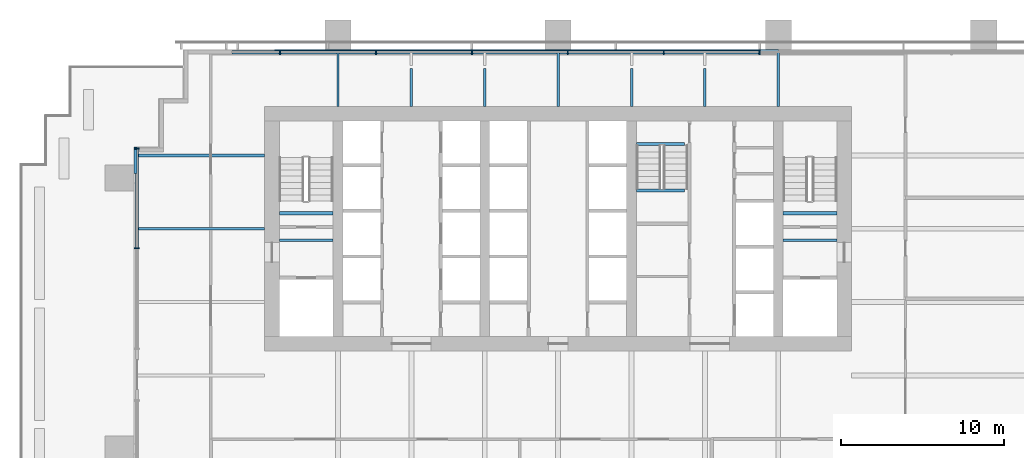
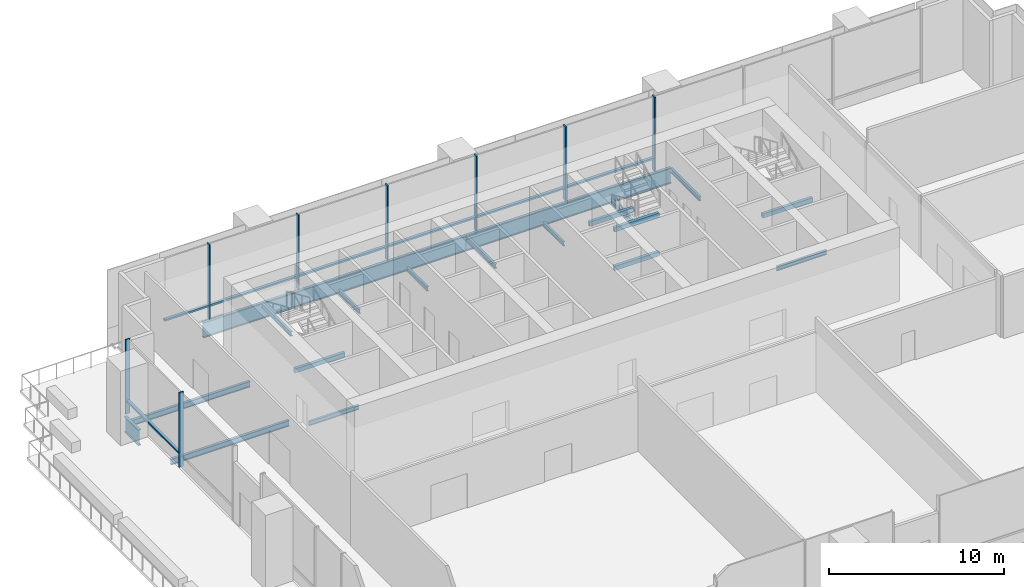
# One storey, part 4 of 15: 19 beams, 15 members, 2 elements without a shape of their own.
"""IFC4 building model written with IfcOpenShell, lengths in metres."""

from ifc_helpers import new_model, si_unit, direction, frame, origin, origin_2d, place, context, subcontext, project, spatial, rectangle, i_section, extrude, material, layer, layer_set, material_profile, profile_set, type_object, element, aggregate, save


model = new_model("IFC4")

# Units and contexts
model_context = context("Model", 3, precision=1e-05, world=origin(), true_north=direction((0.0, 1.0)))
body_context = subcontext(model_context, "Body", "Model", "MODEL_VIEW")
ifc_project = project(units=[si_unit("LENGTHUNIT", "METRE"), si_unit("AREAUNIT", "SQUARE_METRE"), si_unit("VOLUMEUNIT", "CUBIC_METRE"), si_unit("PLANEANGLEUNIT", "RADIAN"), si_unit("MASSUNIT", "GRAM", prefix="KILO")], contexts=[model_context])

# Site, building, storey
site_placement = place(None, origin())
site = spatial("IfcSite", under=ifc_project, at=site_placement, CompositionType="ELEMENT")
building_placement = place(site_placement, origin())
building = spatial("IfcBuilding", under=site, at=building_placement, Name="Rattan Terrace Tower", CompositionType="ELEMENT")
storey_placement = place(building_placement, frame((0.0, 0.0, 74.300048828125)))
storey = spatial("IfcBuildingStorey", under=building, at=storey_placement, Name="L16", CompositionType="ELEMENT", Elevation=74.300048828125)

# Beams
ifc_material_1 = material(Name="Concrete C40/50", Category="concrete")
ifc_material_profile_1 = material_profile(ifc_material_1, rectangle(XDim=0.199951171875, YDim=0.300048828125, at=origin_2d()), Name="RC 200x300")
ifc_profile_set_1 = profile_set([ifc_material_profile_1], Name="Concrete C40/50")
beam_type_1 = type_object("IfcBeamType", Name="Core landing beam RC 200x300", PredefinedType="BEAM", material=ifc_profile_set_1)
for number, where, z_axis, x_axis, name in (
    (1, (-17.10009765625, 0.949951171875, 2.349853515625), (1.0, 0.0, 0.0), (0.0, 1.0, 0.0), "st-S1-L16 landing 2 edge beam"),
    (2, (13.800048828125, 0.949951171875, 2.349853515625), (1.0, 0.0, 0.0), (0.0, 1.0, 0.0), "st-S2-L16 landing 2 edge beam"),
):
    element("IfcBeam", number, at=place(storey_placement, frame(where, z_axis=z_axis, x_axis=x_axis)), inside=storey, type_object=beam_type_1, Name=name, PredefinedType="BEAM", context=body_context, shape_type="SweptSolid", body=[
        extrude(rectangle(XDim=0.199951171875, YDim=0.300048828125, at=origin_2d()), origin(), (0.0, 0.0, 1.0), 3.300048828125),
    ])
for number, where, z_axis, x_axis, name in (
    (3, (4.800048828125, 2.340087890625, 1.0), (1.0, 0.0, 0.0), (0.0, 1.0, 0.0), "st-S3-L16 landing 1 edge beam"),
    (4, (4.800048828125, 5.199951171875, 2.349853515625), (1.0, 0.0, 0.0), (0.0, 1.0, 0.0), "st-S3-L16 landing 2 edge beam"),
    (5, (4.800048828125, 2.340087890625, 3.699951171875), (1.0, 0.0, 0.0), (0.0, 1.0, 0.0), "st-S3-L16 landing 3 edge beam"),
):
    element("IfcBeam", number, at=place(storey_placement, frame(where, z_axis=z_axis, x_axis=x_axis)), inside=storey, type_object=beam_type_1, Name=name, PredefinedType="BEAM", context=body_context, shape_type="SweptSolid", body=[
        extrude(rectangle(XDim=0.199951171875, YDim=0.300048828125, at=origin_2d()), origin(), (0.0, 0.0, 1.0), 2.949951171875),
    ])
ifc_material_2 = material(Name="Steel S460", Category="steel")
ifc_material_profile_2 = material_profile(ifc_material_2, i_section(OverallWidth=0.179931640625, OverallDepth=1.10009765625, WebThickness=0.01611328125, FlangeThickness=0.050048828125, at=origin_2d()), Name="PG 1100x180-16-50")
ifc_profile_set_2 = profile_set([ifc_material_profile_2], Name="Steel S460")
beam_type_2 = type_object("IfcBeamType", Name="Frame edge girder PG 1100x180-16-50", PredefinedType="SPANDREL", material=ifc_profile_set_2)
beam_1_placement = place(storey_placement, frame((-25.909912109375, 3.39990234375, -0.75), z_axis=(0.0, 1.0, 0.0), x_axis=(-1.0, 0.0, 0.0)))
element("IfcBeam", 6, at=beam_1_placement, inside=storey, type_object=beam_type_2, Name="gdr-L16-008", PredefinedType="SPANDREL", context=body_context, shape_type="SweptSolid", body=[
    extrude(i_section(OverallWidth=0.179931640625, OverallDepth=1.10009765625, WebThickness=0.01611328125, FlangeThickness=0.050048828125, at=origin_2d()), origin(), (0.0, 0.0, 1.0), 1.60009765625),
])
beam_2_placement = place(storey_placement, frame((-17.39990234375, 10.909912109375, -0.75), z_axis=(1.0, 0.0, 0.0), x_axis=(0.0, 1.0, 0.0)))
element("IfcBeam", 7, at=beam_2_placement, inside=storey, type_object=beam_type_2, Name="gdr-L16-010", PredefinedType="SPANDREL", context=body_context, shape_type="SweptSolid", body=[
    extrude(i_section(OverallWidth=0.179931640625, OverallDepth=1.10009765625, WebThickness=0.01611328125, FlangeThickness=0.050048828125, at=origin_2d()), origin(), (0.0, 0.0, 1.0), 17.39990234375),
])
beam_3_placement = place(storey_placement, frame((13.5, 10.909912109375, -0.75), z_axis=(-1.0, 0.0, 0.0), x_axis=(0.0, -1.0, 0.0)))
element("IfcBeam", 8, at=beam_3_placement, inside=storey, type_object=beam_type_2, Name="gdr-L16-011", PredefinedType="SPANDREL", context=body_context, shape_type="SweptSolid", body=[
    extrude(i_section(OverallWidth=0.179931640625, OverallDepth=1.10009765625, WebThickness=0.01611328125, FlangeThickness=0.050048828125, at=origin_2d()), origin(), (0.0, 0.0, 1.0), 13.5),
])
ifc_material_3 = material(Name="Steel S355", Category="steel")
ifc_material_profile_3 = material_profile(ifc_material_3, i_section(OverallWidth=0.14990234375, OverallDepth=0.300048828125, WebThickness=0.007080078125, FlangeThickness=0.0107421875, FilletRadius=0.014892578125, at=origin_2d()), Name="IPE 300")
ifc_profile_set_3 = profile_set([ifc_material_profile_3], Name="Steel S355")
beam_type_3 = type_object("IfcBeamType", Name="Frame floor beam IPE 300", PredefinedType="JOIST", material=ifc_profile_set_3)
for number, where, z_axis, x_axis, name in (
    (9, (-17.10009765625, -0.695068359375, -0.35009765625), (1.0, 0.0, 0.0), (0.0, 1.0, 0.0), "bm-L16-001"),
    (10, (13.800048828125, -0.695068359375, -0.35009765625), (1.0, 0.0, 0.0), (0.0, 1.0, 0.0), "bm-L16-002"),
):
    element("IfcBeam", number, at=place(storey_placement, frame(where, z_axis=z_axis, x_axis=x_axis)), inside=storey, type_object=beam_type_3, Name=name, PredefinedType="JOIST", context=body_context, shape_type="SweptSolid", body=[
        extrude(i_section(OverallWidth=0.14990234375, OverallDepth=0.300048828125, WebThickness=0.007080078125, FlangeThickness=0.0107421875, FilletRadius=0.014892578125, at=origin_2d()), origin(), (0.0, 0.0, 1.0), 3.300048828125),
    ])
beam_4_placement = place(storey_placement, frame((-13.5, 7.5, -0.35009765625), z_axis=(0.0, 1.0, 0.0), x_axis=(-1.0, 0.0, 0.0)))
element("IfcBeam", 11, at=beam_4_placement, inside=storey, type_object=beam_type_3, Name="bm-L16-024", PredefinedType="JOIST", context=body_context, shape_type="SweptSolid", body=[
    extrude(i_section(OverallWidth=0.14990234375, OverallDepth=0.300048828125, WebThickness=0.007080078125, FlangeThickness=0.0107421875, FilletRadius=0.014892578125, at=origin_2d()), origin(), (0.0, 0.0, 1.0), 3.320068359375),
])
for number, where, z_axis, x_axis, name in (
    (12, (-9.0, 7.5, -0.35009765625), (0.0, 1.0, 0.0), (-1.0, 0.0, 0.0), "bm-L16-025"),
    (13, (-4.5, 7.5, -0.35009765625), (0.0, 1.0, 0.0), (-1.0, 0.0, 0.0), "bm-L16-026"),
):
    element("IfcBeam", number, at=place(storey_placement, frame(where, z_axis=z_axis, x_axis=x_axis)), inside=storey, type_object=beam_type_3, Name=name, PredefinedType="JOIST", context=body_context, shape_type="SweptSolid", body=[
        extrude(i_section(OverallWidth=0.14990234375, OverallDepth=0.300048828125, WebThickness=0.007080078125, FlangeThickness=0.0107421875, FilletRadius=0.014892578125, at=origin_2d()), origin(), (0.0, 0.0, 1.0), 2.320068359375),
    ])
beam_5_placement = place(storey_placement, frame((0.0, 7.5, -0.35009765625), z_axis=(0.0, 1.0, 0.0), x_axis=(-1.0, 0.0, 0.0)))
element("IfcBeam", 14, at=beam_5_placement, inside=storey, type_object=beam_type_3, Name="bm-L16-027", PredefinedType="JOIST", context=body_context, shape_type="SweptSolid", body=[
    extrude(i_section(OverallWidth=0.14990234375, OverallDepth=0.300048828125, WebThickness=0.007080078125, FlangeThickness=0.0107421875, FilletRadius=0.014892578125, at=origin_2d()), origin(), (0.0, 0.0, 1.0), 3.320068359375),
])
for number, where, z_axis, x_axis, name in (
    (15, (4.5, 7.5, -0.35009765625), (0.0, 1.0, 0.0), (-1.0, 0.0, 0.0), "bm-L16-028"),
    (16, (9.0, 7.5, -0.35009765625), (0.0, 1.0, 0.0), (-1.0, 0.0, 0.0), "bm-L16-029"),
):
    element("IfcBeam", number, at=place(storey_placement, frame(where, z_axis=z_axis, x_axis=x_axis)), inside=storey, type_object=beam_type_3, Name=name, PredefinedType="JOIST", context=body_context, shape_type="SweptSolid", body=[
        extrude(i_section(OverallWidth=0.14990234375, OverallDepth=0.300048828125, WebThickness=0.007080078125, FlangeThickness=0.0107421875, FilletRadius=0.014892578125, at=origin_2d()), origin(), (0.0, 0.0, 1.0), 2.320068359375),
    ])
beam_6_placement = place(storey_placement, frame((13.5, 7.5, -0.35009765625), z_axis=(0.0, 1.0, 0.0), x_axis=(-1.0, 0.0, 0.0)))
element("IfcBeam", 17, at=beam_6_placement, inside=storey, type_object=beam_type_3, Name="bm-L16-030", PredefinedType="JOIST", context=body_context, shape_type="SweptSolid", body=[
    extrude(i_section(OverallWidth=0.14990234375, OverallDepth=0.300048828125, WebThickness=0.007080078125, FlangeThickness=0.0107421875, FilletRadius=0.014892578125, at=origin_2d()), origin(), (0.0, 0.0, 1.0), 3.320068359375),
])
ifc_material_4 = material(Name="Steel S355", Category="steel")
ifc_material_profile_4 = material_profile(ifc_material_4, i_section(OverallWidth=0.179931640625, OverallDepth=0.39990234375, WebThickness=0.008544921875, FlangeThickness=0.013427734375, FilletRadius=0.02099609375, at=origin_2d()), Name="IPE 400")
ifc_profile_set_4 = profile_set([ifc_material_profile_4], Name="Steel S355")
beam_type_4 = type_object("IfcBeamType", Name="Frame floor beam IPE 400", PredefinedType="JOIST", material=ifc_profile_set_4)
for number, where, z_axis, x_axis, name in (
    (18, (-25.820068359375, 0.0, -0.400146484375), (1.0, 0.0, 0.0), (0.0, 1.0, 0.0), "bm-L16-019"),
    (19, (-25.820068359375, 4.5, -0.400146484375), (1.0, 0.0, 0.0), (0.0, 1.0, 0.0), "bm-L16-022"),
):
    element("IfcBeam", number, at=place(storey_placement, frame(where, z_axis=z_axis, x_axis=x_axis)), inside=storey, type_object=beam_type_4, Name=name, PredefinedType="JOIST", context=body_context, shape_type="SweptSolid", body=[
        extrude(i_section(OverallWidth=0.179931640625, OverallDepth=0.39990234375, WebThickness=0.008544921875, FlangeThickness=0.013427734375, FilletRadius=0.02099609375, at=origin_2d()), origin(), (0.0, 0.0, 1.0), 7.820068359375),
    ])

# Curtain wall, members
ifc_material_5 = material(Name="Steel fins, aluminium and glass", Category="steel")
ifc_layer = layer(ifc_material_5, 0.300048828125)
ifc_layer_set = layer_set([ifc_layer], Name="Sky Lobby Stick Curtain Wall")
curtain_wall_type = type_object("IfcCurtainWallType", Name="Sky Lobby Stick Curtain Wall", PredefinedType="NOTDEFINED", material=ifc_layer_set)
curtain_wall_1_placement = place(storey_placement, origin())
curtain_wall_1 = element("IfcCurtainWall", 20, at=curtain_wall_1_placement, inside=storey, type_object=curtain_wall_type, Name="Sky lobby curtain wall L16-2", PredefinedType="NOTDEFINED")
ifc_material_6 = material(Name="Steel S355", Category="steel")
ifc_material_profile_5 = material_profile(ifc_material_6, rectangle(XDim=0.080078125, YDim=0.300048828125, at=origin_2d()), Name="Steel S355 80x300")
ifc_profile_set_5 = profile_set([ifc_material_profile_5], Name="Steel S355")
member_type_1 = type_object("IfcMemberType", Name="Sky Lobby CW Fin 80x300", PredefinedType="MULLION", material=ifc_profile_set_5)
member_1_placement = place(storey_placement, frame((12.35400390625, 10.830078125, 0.0), z_axis=(0.0, 0.0, 1.0), x_axis=(-1.0, 0.0, 0.0)))
member_1 = element("IfcMember", 21, at=member_1_placement, type_object=member_type_1, Name="Mullion cwl-L16-002.4", PredefinedType="MULLION", context=body_context, shape_type="SweptSolid", body=[
    extrude(rectangle(XDim=0.080078125, YDim=0.300048828125, at=origin_2d()), origin(), (0.0, 0.0, 1.0), 5.199951171875),
])
member_2_placement = place(storey_placement, frame((6.471923828125, 10.830078125, 0.0), z_axis=(0.0, 0.0, 1.0), x_axis=(-1.0, 0.0, 0.0)))
member_2 = element("IfcMember", 22, at=member_2_placement, type_object=member_type_1, Name="Mullion cwl-L16-002.5", PredefinedType="MULLION", context=body_context, shape_type="SweptSolid", body=[
    extrude(rectangle(XDim=0.080078125, YDim=0.300048828125, at=origin_2d()), origin(), (0.0, 0.0, 1.0), 5.199951171875),
])
member_3_placement = place(storey_placement, frame((0.590087890625, 10.830078125, 0.0), z_axis=(0.0, 0.0, 1.0), x_axis=(-1.0, 0.0, 0.0)))
member_3 = element("IfcMember", 23, at=member_3_placement, type_object=member_type_1, Name="Mullion cwl-L16-002.6", PredefinedType="MULLION", context=body_context, shape_type="SweptSolid", body=[
    extrude(rectangle(XDim=0.080078125, YDim=0.300048828125, at=origin_2d()), origin(), (0.0, 0.0, 1.0), 5.199951171875),
])
member_4_placement = place(storey_placement, frame((-5.2919921875, 10.830078125, 0.0), z_axis=(0.0, 0.0, 1.0), x_axis=(-1.0, 0.0, 0.0)))
member_4 = element("IfcMember", 24, at=member_4_placement, type_object=member_type_1, Name="Mullion cwl-L16-002.7", PredefinedType="MULLION", context=body_context, shape_type="SweptSolid", body=[
    extrude(rectangle(XDim=0.080078125, YDim=0.300048828125, at=origin_2d()), origin(), (0.0, 0.0, 1.0), 5.199951171875),
])
member_5_placement = place(storey_placement, frame((-11.174072265625, 10.830078125, 0.0), z_axis=(0.0, 0.0, 1.0), x_axis=(-1.0, 0.0, 0.0)))
member_5 = element("IfcMember", 25, at=member_5_placement, type_object=member_type_1, Name="Mullion cwl-L16-002.8", PredefinedType="MULLION", context=body_context, shape_type="SweptSolid", body=[
    extrude(rectangle(XDim=0.080078125, YDim=0.300048828125, at=origin_2d()), origin(), (0.0, 0.0, 1.0), 5.199951171875),
])
member_6_placement = place(storey_placement, frame((-17.055908203125, 10.830078125, 0.0), z_axis=(0.0, 0.0, 1.0), x_axis=(-1.0, 0.0, 0.0)))
member_6 = element("IfcMember", 26, at=member_6_placement, type_object=member_type_1, Name="Mullion cwl-L16-002.9", PredefinedType="MULLION", context=body_context, shape_type="SweptSolid", body=[
    extrude(rectangle(XDim=0.080078125, YDim=0.300048828125, at=origin_2d()), origin(), (0.0, 0.0, 1.0), 5.199951171875),
])

curtain_wall_2_placement = place(storey_placement, origin())
curtain_wall_2 = element("IfcCurtainWall", 27, at=curtain_wall_2_placement, inside=storey, type_object=curtain_wall_type, Name="Sky lobby curtain wall L16-3", PredefinedType="NOTDEFINED")
member_7_placement = place(storey_placement, frame((-25.830078125, 4.9150390625, 0.0), z_axis=(0.0, 0.0, 1.0), x_axis=(0.0, -1.0, 0.0)))
member_7 = element("IfcMember", 28, at=member_7_placement, type_object=member_type_1, Name="Mullion cwl-L16-003.1", PredefinedType="MULLION", context=body_context, shape_type="SweptSolid", body=[
    extrude(rectangle(XDim=0.080078125, YDim=0.300048828125, at=origin_2d()), origin(), (0.0, 0.0, 1.0), 5.199951171875),
])
member_8_placement = place(storey_placement, frame((-25.830078125, -1.199951171875, 0.0), z_axis=(0.0, 0.0, 1.0), x_axis=(0.0, -1.0, 0.0)))
member_8 = element("IfcMember", 29, at=member_8_placement, type_object=member_type_1, Name="Mullion cwl-L16-003.2", PredefinedType="MULLION", context=body_context, shape_type="SweptSolid", body=[
    extrude(rectangle(XDim=0.080078125, YDim=0.300048828125, at=origin_2d()), origin(), (0.0, 0.0, 1.0), 5.199951171875),
])

# Member
ifc_material_7 = material(Name="Aluminium", Category="aluminium")
ifc_material_profile_6 = material_profile(ifc_material_7, rectangle(XDim=0.199951171875, YDim=0.1201171875, at=origin_2d()), Name="Aluminium 200x120")
ifc_profile_set_6 = profile_set([ifc_material_profile_6], Name="Aluminium")
member_type_2 = type_object("IfcMemberType", Name="Sky Lobby CW Transom 200x120", PredefinedType="USERDEFINED", material=ifc_profile_set_6)
member_9_placement = place(storey_placement, frame((12.31396484375, 10.830078125, 0.89990234375), z_axis=(-1.0, 0.0, 0.0), x_axis=(0.0, -1.0, 0.0)))
member_9 = element("IfcMember", 30, at=member_9_placement, type_object=member_type_2, Name="Transom cwl-L16-002.4", ObjectType="TRANSOM", PredefinedType="USERDEFINED", context=body_context, shape_type="SweptSolid", body=[
    extrude(rectangle(XDim=0.199951171875, YDim=0.1201171875, at=origin_2d()), origin(), (0.0, 0.0, 1.0), 5.802001953125),
])

member_10_placement = place(storey_placement, frame((6.431884765625, 10.830078125, 0.89990234375), z_axis=(-1.0, 0.0, 0.0), x_axis=(0.0, -1.0, 0.0)))
member_10 = element("IfcMember", 31, at=member_10_placement, type_object=member_type_2, Name="Transom cwl-L16-002.5", ObjectType="TRANSOM", PredefinedType="USERDEFINED", context=body_context, shape_type="SweptSolid", body=[
    extrude(rectangle(XDim=0.199951171875, YDim=0.1201171875, at=origin_2d()), origin(), (0.0, 0.0, 1.0), 5.802001953125),
])

member_11_placement = place(storey_placement, frame((0.550048828125, 10.830078125, 0.89990234375), z_axis=(-1.0, 0.0, 0.0), x_axis=(0.0, -1.0, 0.0)))
member_11 = element("IfcMember", 32, at=member_11_placement, type_object=member_type_2, Name="Transom cwl-L16-002.6", ObjectType="TRANSOM", PredefinedType="USERDEFINED", context=body_context, shape_type="SweptSolid", body=[
    extrude(rectangle(XDim=0.199951171875, YDim=0.1201171875, at=origin_2d()), origin(), (0.0, 0.0, 1.0), 5.802001953125),
])

member_12_placement = place(storey_placement, frame((-5.33203125, 10.830078125, 0.89990234375), z_axis=(-1.0, 0.0, 0.0), x_axis=(0.0, -1.0, 0.0)))
member_12 = element("IfcMember", 33, at=member_12_placement, type_object=member_type_2, Name="Transom cwl-L16-002.7", ObjectType="TRANSOM", PredefinedType="USERDEFINED", context=body_context, shape_type="SweptSolid", body=[
    extrude(rectangle(XDim=0.199951171875, YDim=0.1201171875, at=origin_2d()), origin(), (0.0, 0.0, 1.0), 5.802001953125),
])

member_13_placement = place(storey_placement, frame((-11.214111328125, 10.830078125, 0.89990234375), z_axis=(-1.0, 0.0, 0.0), x_axis=(0.0, -1.0, 0.0)))
member_13 = element("IfcMember", 34, at=member_13_placement, type_object=member_type_2, Name="Transom cwl-L16-002.8", ObjectType="TRANSOM", PredefinedType="USERDEFINED", context=body_context, shape_type="SweptSolid", body=[
    extrude(rectangle(XDim=0.199951171875, YDim=0.1201171875, at=origin_2d()), origin(), (0.0, 0.0, 1.0), 5.802001953125),
])

member_14_placement = place(storey_placement, frame((-17.095947265625, 10.830078125, 0.89990234375), z_axis=(-1.0, 0.0, 0.0), x_axis=(0.0, -1.0, 0.0)))
member_14 = element("IfcMember", 35, at=member_14_placement, type_object=member_type_2, Name="Transom cwl-L16-002.9", ObjectType="TRANSOM", PredefinedType="USERDEFINED", context=body_context, shape_type="SweptSolid", body=[
    extrude(rectangle(XDim=0.199951171875, YDim=0.1201171875, at=origin_2d()), origin(), (0.0, 0.0, 1.0), 2.904052734375),
])

aggregate(curtain_wall_1, [member_1, member_2, member_3, member_4, member_5, member_6, member_9, member_10, member_11, member_12, member_13, member_14])

member_15_placement = place(storey_placement, frame((-25.830078125, 4.875, 0.89990234375), z_axis=(0.0, -1.0, 0.0), x_axis=(1.0, 0.0, 0.0)))
member_15 = element("IfcMember", 36, at=member_15_placement, type_object=member_type_2, Name="Transom cwl-L16-003.1", ObjectType="TRANSOM", PredefinedType="USERDEFINED", context=body_context, shape_type="SweptSolid", body=[
    extrude(rectangle(XDim=0.199951171875, YDim=0.1201171875, at=origin_2d()), origin(), (0.0, 0.0, 1.0), 6.034912109375),
])

aggregate(curtain_wall_2, [member_7, member_8, member_15])

save(model, "model.ifc")
